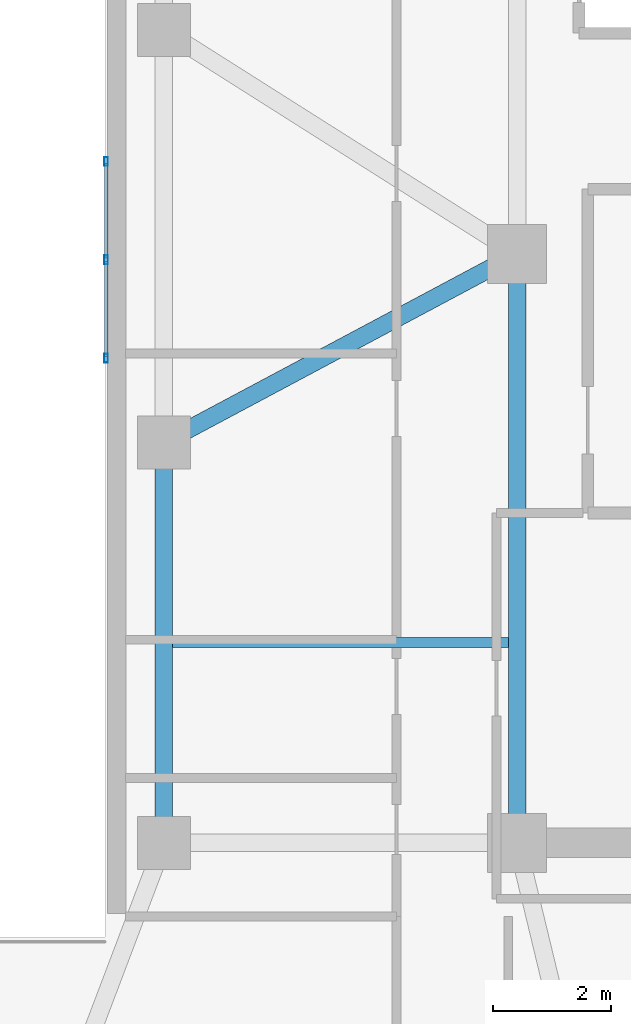
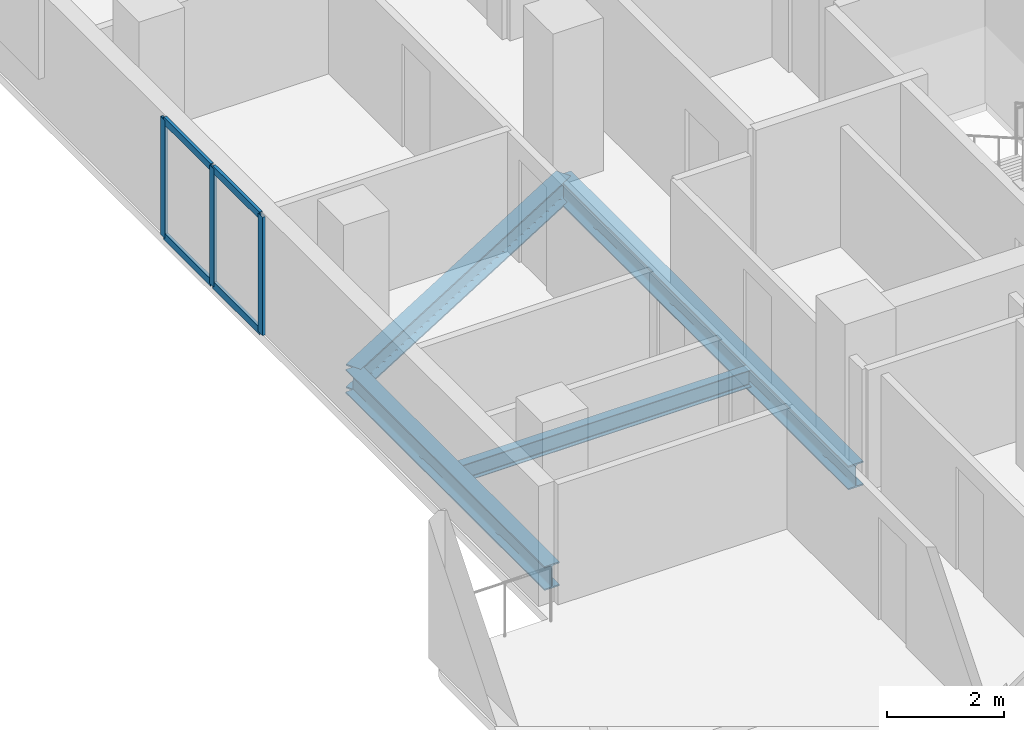
# One storey, part 8 of 17: 7 members, 4 beams, 1 element without a shape of its own.
"""IFC4 building model written with IfcOpenShell, lengths in metres."""

from ifc_helpers import new_model, si_unit, direction, frame, origin, origin_2d, place, context, subcontext, project, spatial, hollow_rectangle, i_section, extrude, material, material_profile, profile_set, type_object, element, aggregate, save


model = new_model("IFC4")

# Units and contexts
model_context = context("Model", 3, precision=1e-05, world=origin(), true_north=direction((0.0, 1.0)))
body_context = subcontext(model_context, "Body", "Model", "MODEL_VIEW")
ifc_project = project(units=[si_unit("LENGTHUNIT", "METRE"), si_unit("AREAUNIT", "SQUARE_METRE"), si_unit("VOLUMEUNIT", "CUBIC_METRE"), si_unit("PLANEANGLEUNIT", "RADIAN"), si_unit("MASSUNIT", "GRAM", prefix="KILO")], contexts=[model_context])

# Site, building, storey
site_placement = place(None, origin())
site = spatial("IfcSite", under=ifc_project, at=site_placement, CompositionType="ELEMENT")
building_placement = place(site_placement, origin())
building = spatial("IfcBuilding", under=site, at=building_placement, Name="Kuzgunbayir Cultural Tower", CompositionType="ELEMENT")
storey_placement = place(building_placement, frame((0.0, 0.0, 56.39990234375)))
storey = spatial("IfcBuildingStorey", under=building, at=storey_placement, Name="L15", CompositionType="ELEMENT", Elevation=56.39990234375)

# Beams
ifc_material_1 = material(Name="Steel S355J2", Category="steel")
ifc_material_profile_1 = material_profile(ifc_material_1, i_section(OverallWidth=0.300048828125, OverallDepth=0.5, WebThickness=0.014404296875, FlangeThickness=0.028076171875, FilletRadius=0.027099609375, at=origin_2d()), Name="HEB 500")
ifc_profile_set_1 = profile_set([ifc_material_profile_1], Name="Steel S355J2")
beam_type_1 = type_object("IfcBeamType", Name="BM-EXT-HEB500", PredefinedType="BEAM", material=ifc_profile_set_1)
beam_1_placement = place(storey_placement, frame((58.60009765625, 22.0, -0.429931640625), z_axis=(0.0, 1.0, 0.0), x_axis=(-1.0, 0.0, 0.0)))
element("IfcBeam", 1, at=beam_1_placement, inside=storey, type_object=beam_type_1, Name="L15 Companion West Girder", PredefinedType="BEAM", context=body_context, shape_type="SweptSolid", body=[
    extrude(i_section(OverallWidth=0.300048828125, OverallDepth=0.5, WebThickness=0.014404296875, FlangeThickness=0.028076171875, FilletRadius=0.027099609375, at=origin_2d()), origin(), (0.0, 0.0, 1.0), 6.800048828125),
])
ifc_material_profile_2 = material_profile(ifc_material_1, i_section(OverallWidth=0.300048828125, OverallDepth=0.5, WebThickness=0.014404296875, FlangeThickness=0.028076171875, FilletRadius=0.027099609375, at=origin_2d()), Name="HEB 500")
ifc_profile_set_2 = profile_set([ifc_material_profile_2], Name="Steel S355J2")
beam_type_2 = type_object("IfcBeamType", Name="BM-GIR-HEB500", PredefinedType="BEAM", material=ifc_profile_set_2)
beam_2_placement = place(storey_placement, frame((58.60009765625, 28.800048828125, -0.429931640625), z_axis=(0.882355922736, 0.470582644828, 0.0), x_axis=(-0.470582644828, 0.882355922736, 0.0)))
element("IfcBeam", 2, at=beam_2_placement, inside=storey, type_object=beam_type_2, Name="L15 Companion Transverse Girder 2", PredefinedType="BEAM", context=body_context, shape_type="SweptSolid", body=[
    extrude(i_section(OverallWidth=0.300048828125, OverallDepth=0.5, WebThickness=0.014404296875, FlangeThickness=0.028076171875, FilletRadius=0.027099609375, at=origin_2d()), origin(), (0.0, 0.0, 1.0), 6.800048828125),
])
beam_3_placement = place(storey_placement, frame((64.60009765625, 22.0, -0.429931640625), z_axis=(0.0, 1.0, 0.0), x_axis=(-1.0, 0.0, 0.0)))
element("IfcBeam", 3, at=beam_3_placement, inside=storey, type_object=beam_type_2, Name="L15 Companion Core West Girder 1", PredefinedType="BEAM", context=body_context, shape_type="SweptSolid", body=[
    extrude(i_section(OverallWidth=0.300048828125, OverallDepth=0.5, WebThickness=0.014404296875, FlangeThickness=0.028076171875, FilletRadius=0.027099609375, at=origin_2d()), origin(), (0.0, 0.0, 1.0), 10.0),
])
ifc_material_profile_3 = material_profile(ifc_material_1, i_section(OverallWidth=0.169921875, OverallDepth=0.360107421875, WebThickness=0.008056640625, FlangeThickness=0.0126953125, FilletRadius=0.01806640625, at=origin_2d()), Name="IPE 360")
ifc_profile_set_3 = profile_set([ifc_material_profile_3], Name="Steel S355J2")
beam_type_3 = type_object("IfcBeamType", Name="BM-JST-IPE360", PredefinedType="JOIST", material=ifc_profile_set_3)
beam_4_placement = place(storey_placement, frame((58.75, 25.39990234375, -0.35986328125), z_axis=(1.0, 0.0, 0.0), x_axis=(0.0, 1.0, 0.0)))
element("IfcBeam", 4, at=beam_4_placement, inside=storey, type_object=beam_type_3, Name="L15 Companion Joist", PredefinedType="JOIST", context=body_context, shape_type="SweptSolid", body=[
    extrude(i_section(OverallWidth=0.169921875, OverallDepth=0.360107421875, WebThickness=0.008056640625, FlangeThickness=0.0126953125, FilletRadius=0.01806640625, at=origin_2d()), origin(), (0.0, 0.0, 1.0), 5.699951171875),
])

# Curtain wall, members
ifc_material_2 = material(Name="Anodised Aluminium Framing", Category="aluminium")
curtain_wall_type = type_object("IfcCurtainWallType", Name="CW04-T2-CULTURAL", PredefinedType="NOTDEFINED", material=ifc_material_2)
curtain_wall_placement = place(storey_placement, origin())
curtain_wall = element("IfcCurtainWall", 5, at=curtain_wall_placement, inside=storey, type_object=curtain_wall_type, Name="L15 Companion Cultural Curtain Wall", PredefinedType="NOTDEFINED")
ifc_material_profile_4 = material_profile(ifc_material_2, hollow_rectangle(XDim=0.06005859375, YDim=0.14990234375, WallThickness=0.00390625, at=origin_2d()), Name="RHS 150x60x4")
ifc_profile_set_4 = profile_set([ifc_material_profile_4], Name="Anodised Aluminium Framing")
member_type_1 = type_object("IfcMemberType", Name="MEM-CW-MULLION-150", PredefinedType="MULLION", material=ifc_profile_set_4)
member_1_placement = place(storey_placement, frame((57.6201171875, 30.22998046875, 0.0), z_axis=(0.0, 0.0, 1.0), x_axis=(-1.0, 0.0, 0.0)))
member_1 = element("IfcMember", 6, at=member_1_placement, type_object=member_type_1, Name="CW04 mullion 1", PredefinedType="MULLION", context=body_context, shape_type="SweptSolid", body=[
    extrude(hollow_rectangle(XDim=0.06005859375, YDim=0.14990234375, WallThickness=0.00390625, at=origin_2d()), origin(), (0.0, 0.0, 1.0), 2.47021484375),
])
member_2_placement = place(storey_placement, frame((57.6201171875, 31.89990234375, 0.0), z_axis=(0.0, 0.0, 1.0), x_axis=(-1.0, 0.0, 0.0)))
member_2 = element("IfcMember", 7, at=member_2_placement, type_object=member_type_1, Name="CW04 mullion 2", PredefinedType="MULLION", context=body_context, shape_type="SweptSolid", body=[
    extrude(hollow_rectangle(XDim=0.06005859375, YDim=0.14990234375, WallThickness=0.00390625, at=origin_2d()), origin(), (0.0, 0.0, 1.0), 2.47021484375),
])
member_3_placement = place(storey_placement, frame((57.6201171875, 33.570068359375, 0.0), z_axis=(0.0, 0.0, 1.0), x_axis=(-1.0, 0.0, 0.0)))
member_3 = element("IfcMember", 8, at=member_3_placement, type_object=member_type_1, Name="CW04 mullion 3", PredefinedType="MULLION", context=body_context, shape_type="SweptSolid", body=[
    extrude(hollow_rectangle(XDim=0.06005859375, YDim=0.14990234375, WallThickness=0.00390625, at=origin_2d()), origin(), (0.0, 0.0, 1.0), 2.47021484375),
])
ifc_material_profile_5 = material_profile(ifc_material_2, hollow_rectangle(XDim=0.06005859375, YDim=0.14990234375, WallThickness=0.00390625, at=origin_2d()), Name="RHS 150x60x4")
ifc_profile_set_5 = profile_set([ifc_material_profile_5], Name="Anodised Aluminium Framing")
member_type_2 = type_object("IfcMemberType", Name="MEM-CW-TRANSOM-150", PredefinedType="USERDEFINED", material=ifc_profile_set_5)
member_4_placement = place(storey_placement, frame((57.6201171875, 30.260009765625, 0.030029296875), z_axis=(0.0, 1.0, 0.0), x_axis=(-1.0, 0.0, 0.0)))
member_4 = element("IfcMember", 9, at=member_4_placement, type_object=member_type_2, Name="CW04 transom 1.1", ObjectType="TRANSOM", PredefinedType="USERDEFINED", context=body_context, shape_type="SweptSolid", body=[
    extrude(hollow_rectangle(XDim=0.06005859375, YDim=0.14990234375, WallThickness=0.00390625, at=origin_2d()), origin(), (0.0, 0.0, 1.0), 1.610107421875),
])
member_5_placement = place(storey_placement, frame((57.6201171875, 30.260009765625, 2.440185546875), z_axis=(0.0, 1.0, 0.0), x_axis=(-1.0, 0.0, 0.0)))
member_5 = element("IfcMember", 10, at=member_5_placement, type_object=member_type_2, Name="CW04 transom 1.2", ObjectType="TRANSOM", PredefinedType="USERDEFINED", context=body_context, shape_type="SweptSolid", body=[
    extrude(hollow_rectangle(XDim=0.06005859375, YDim=0.14990234375, WallThickness=0.00390625, at=origin_2d()), origin(), (0.0, 0.0, 1.0), 1.610107421875),
])
member_6_placement = place(storey_placement, frame((57.6201171875, 31.929931640625, 0.030029296875), z_axis=(0.0, 1.0, 0.0), x_axis=(-1.0, 0.0, 0.0)))
member_6 = element("IfcMember", 11, at=member_6_placement, type_object=member_type_2, Name="CW04 transom 2.1", ObjectType="TRANSOM", PredefinedType="USERDEFINED", context=body_context, shape_type="SweptSolid", body=[
    extrude(hollow_rectangle(XDim=0.06005859375, YDim=0.14990234375, WallThickness=0.00390625, at=origin_2d()), origin(), (0.0, 0.0, 1.0), 1.610107421875),
])
member_7_placement = place(storey_placement, frame((57.6201171875, 31.929931640625, 2.440185546875), z_axis=(0.0, 1.0, 0.0), x_axis=(-1.0, 0.0, 0.0)))
member_7 = element("IfcMember", 12, at=member_7_placement, type_object=member_type_2, Name="CW04 transom 2.2", ObjectType="TRANSOM", PredefinedType="USERDEFINED", context=body_context, shape_type="SweptSolid", body=[
    extrude(hollow_rectangle(XDim=0.06005859375, YDim=0.14990234375, WallThickness=0.00390625, at=origin_2d()), origin(), (0.0, 0.0, 1.0), 1.610107421875),
])
aggregate(curtain_wall, [member_1, member_2, member_3, member_4, member_5, member_6, member_7])

save(model, "model.ifc")
